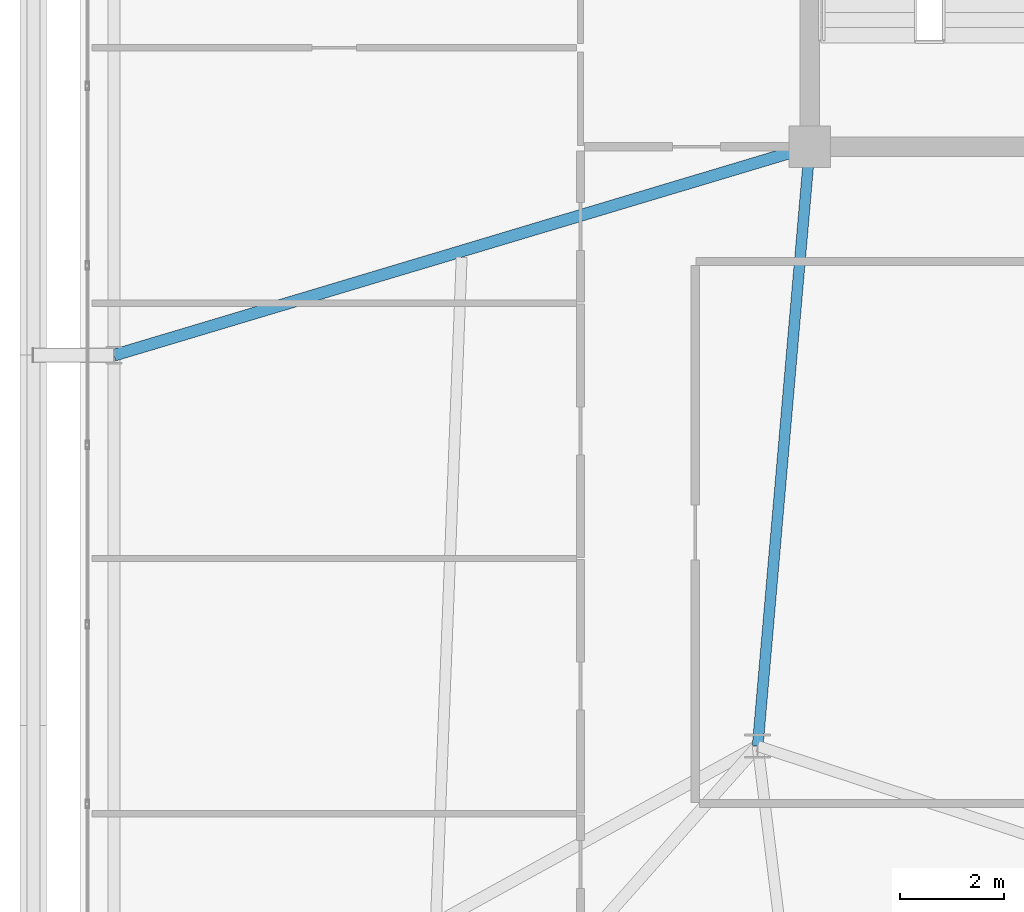
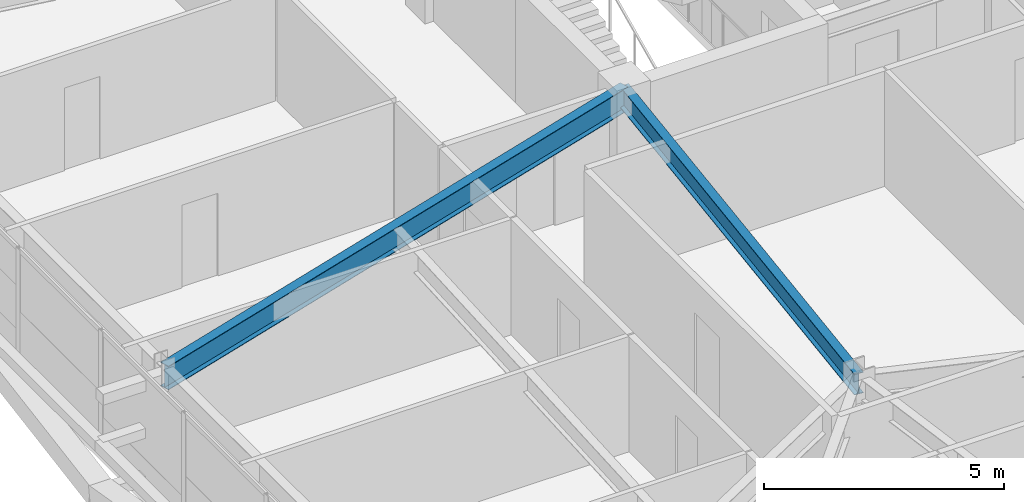
# One storey, part 15 of 58: 2 beams.
"""IFC4 building model written with IfcOpenShell, lengths in metres."""

from ifc_helpers import new_model, si_unit, direction, frame, origin, origin_2d, place, context, subcontext, project, spatial, i_section, extrude, source, transform, mapped, material, material_profile, profile_set, type_object, element, save


model = new_model("IFC4")

# Units and contexts
model_context = context("Model", 3, precision=1e-05, world=origin(), true_north=direction((0.0, 1.0)))
body_context = subcontext(model_context, "Body", "Model", "MODEL_VIEW")
ifc_project = project(units=[si_unit("LENGTHUNIT", "METRE"), si_unit("AREAUNIT", "SQUARE_METRE"), si_unit("VOLUMEUNIT", "CUBIC_METRE"), si_unit("PLANEANGLEUNIT", "RADIAN"), si_unit("MASSUNIT", "GRAM", prefix="KILO")], contexts=[model_context])

# Site, building, storey
site_placement = place(None, origin())
site = spatial("IfcSite", under=ifc_project, at=site_placement, CompositionType="ELEMENT")
building_placement = place(site_placement, origin())
building = spatial("IfcBuilding", under=site, at=building_placement, Name="Taldren Reach Tower", CompositionType="ELEMENT")
storey_placement = place(building_placement, frame((0.0, 0.0, 32.550048828125)))
storey = spatial("IfcBuildingStorey", under=building, at=storey_placement, Name="L09", CompositionType="ELEMENT", Elevation=32.550048828125)

# Beams
ifc_material = material(Name="Steel Gr 350 (350PLUS)", Category="steel")
ifc_material_profile_1 = material_profile(ifc_material, i_section(OverallWidth=0.208984375, OverallDepth=0.532958984375, WebThickness=0.01025390625, FlangeThickness=0.015625, at=origin_2d()), Name="530UB92.4")
ifc_profile_set_1 = profile_set([ifc_material_profile_1], Name="Steel Gr 350 (350PLUS)")
beam_type_1 = type_object("IfcBeamType", Name="BM-UB530A", PredefinedType="BEAM", material=ifc_profile_set_1)
shared_shape_1 = source(origin(), body_context, "Body", "SweptSolid", [
    extrude(i_section(OverallWidth=0.208984375, OverallDepth=0.532958984375, WebThickness=0.01025390625, FlangeThickness=0.015625, at=origin_2d()), origin(), (0.0, 0.0, 1.0), 11.54345703125),
])
beam_1_placement = place(storey_placement, frame((19.0, 24.0, 2.663330078125), z_axis=(-0.086629616365, -0.996240588196, 0.0), x_axis=(0.996240588196, -0.086629616365, 0.0)))
element("IfcBeam", 1, at=beam_1_placement, inside=storey, type_object=beam_type_1, Name="Core-spine girder L09-SP09", PredefinedType="BEAM", context=body_context, shape_type="MappedRepresentation", body=[
    mapped(shared_shape_1, transform((0.0, 0.0, 0.0), scale=1.0)),
])
ifc_material_profile_2 = material_profile(ifc_material, i_section(OverallWidth=0.22802734375, OverallDepth=0.60205078125, WebThickness=0.010498046875, FlangeThickness=0.014892578125, at=origin_2d()), Name="610UB101")
ifc_profile_set_2 = profile_set([ifc_material_profile_2], Name="Steel Gr 350 (350PLUS)")
beam_type_2 = type_object("IfcBeamType", Name="BM-UB610B", PredefinedType="BEAM", material=ifc_profile_set_2)
shared_shape_2 = source(origin(), body_context, "Body", "SweptSolid", [
    extrude(i_section(OverallWidth=0.22802734375, OverallDepth=0.60205078125, WebThickness=0.010498046875, FlangeThickness=0.014892578125, at=origin_2d()), origin(), (0.0, 0.0, 1.0), 13.9365234375),
])
beam_2_placement = place(storey_placement, frame((19.0, 24.0, 2.62890625), z_axis=(-0.957925550891, -0.287016792104, 0.0), x_axis=(0.287016792104, -0.957925550891, 0.0)))
element("IfcBeam", 2, at=beam_2_placement, inside=storey, type_object=beam_type_2, Name="Primary floor girder B1-W2 L09", PredefinedType="BEAM", context=body_context, shape_type="MappedRepresentation", body=[
    mapped(shared_shape_2, transform((0.0, 0.0, 0.0), scale=1.0)),
])

save(model, "model.ifc")
